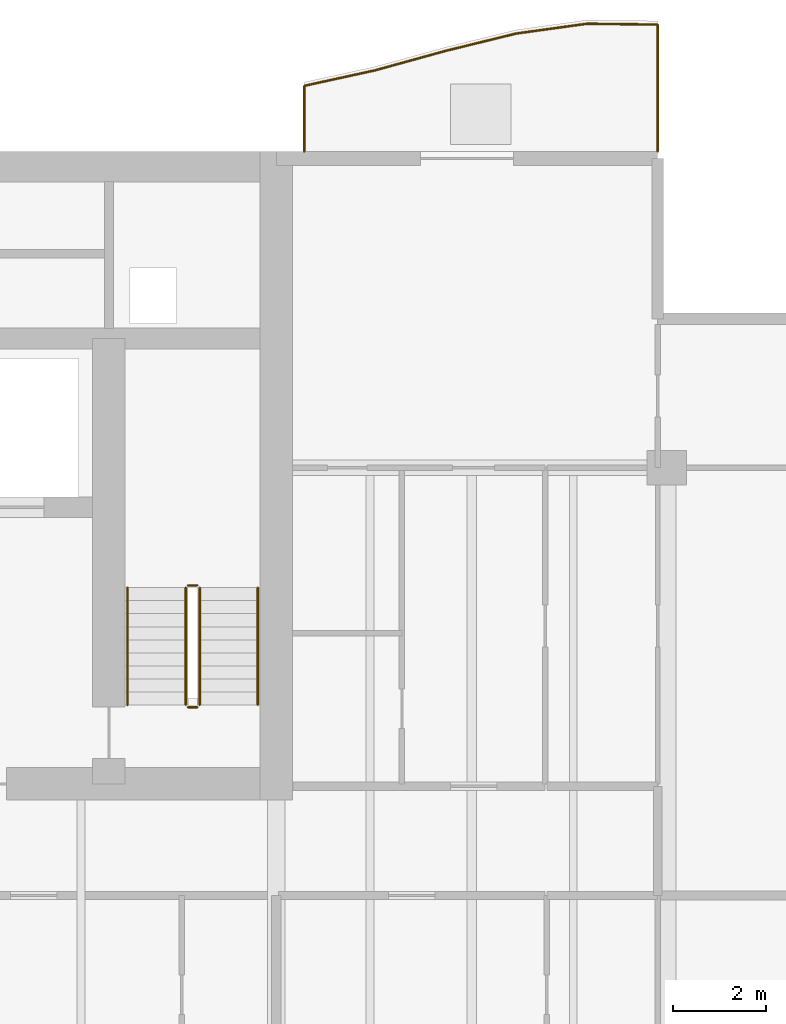
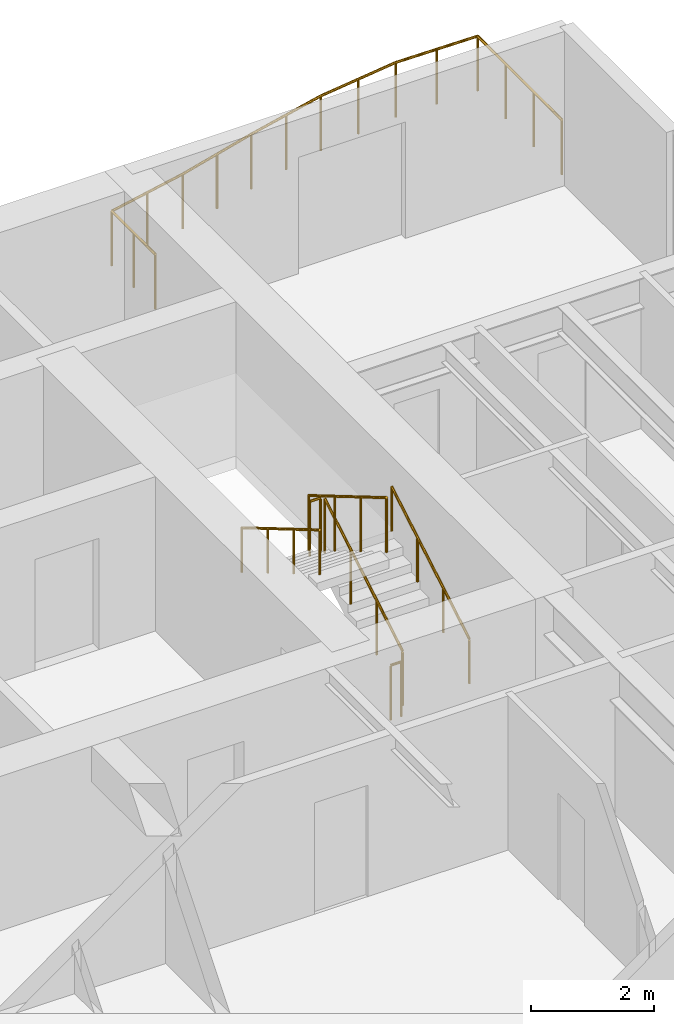
# One storey, part 17 of 18: 7 railings.
"""IFC4 building model written with IfcOpenShell, lengths in metres."""

from ifc_helpers import new_model, si_unit, direction, frame, origin, origin_2d, place, context, subcontext, project, spatial, circle, extrude, material, type_object, element, save


model = new_model("IFC4")

# Units and contexts
model_context = context("Model", 3, precision=1e-05, world=origin(), true_north=direction((0.0, 1.0)))
body_context = subcontext(model_context, "Body", "Model", "MODEL_VIEW")
ifc_project = project(units=[si_unit("LENGTHUNIT", "METRE"), si_unit("AREAUNIT", "SQUARE_METRE"), si_unit("VOLUMEUNIT", "CUBIC_METRE"), si_unit("PLANEANGLEUNIT", "RADIAN"), si_unit("MASSUNIT", "GRAM", prefix="KILO")], contexts=[model_context])

# Site, building, storey
site_placement = place(None, origin())
site = spatial("IfcSite", under=ifc_project, at=site_placement, CompositionType="ELEMENT")
building_placement = place(site_placement, origin())
building = spatial("IfcBuilding", under=site, at=building_placement, Name="Caelmar Bay Residences", CompositionType="ELEMENT")
storey_placement = place(building_placement, frame((0.0, 0.0, 177.0)))
storey = spatial("IfcBuildingStorey", under=building, at=storey_placement, Name="L49", CompositionType="ELEMENT", Elevation=177.0)

# Railings
ifc_material_1 = material(Name="Anodised bronze handrail with laminated hurricane glass infill", Category="glass")
railing_type_1 = type_object("IfcRailingType", Name="RL-BAL-1100", PredefinedType="BALUSTRADE", material=ifc_material_1)
railing_1_placement = place(storey_placement, frame((67.699951171875, 50.60009765625, 0.0)))
element("IfcRailing", 1, at=railing_1_placement, inside=storey, type_object=railing_type_1, Name="L49 north_east Balcony Balustrade", PredefinedType="BALUSTRADE", context=body_context, shape_type="SweptSolid", body=[
    extrude(circle(Radius=0.02392578125, at=origin_2d()), frame((0.0, 0.0, 1.076171875), z_axis=(0.0, 1.0, 0.0), x_axis=(-1.0, 0.0, 0.0)), (0.0, 0.0, 1.0), 2.7294921875),
    extrude(circle(Radius=0.02392578125, at=origin_2d()), frame((0.0, 2.7294921875, 1.076171875), z_axis=(-0.999921532492, 0.012527124885, 0.0), x_axis=(-0.012527124885, -0.999921532492, 0.0)), (0.0, 0.0, 1.0), 1.52001953125),
    extrude(circle(Radius=0.02392578125, at=origin_2d()), frame((-1.52001953125, 2.74853515625, 1.076171875), z_axis=(-0.990551196857, -0.137143451926, 0.0), x_axis=(0.137143451926, -0.990551196857, 0.0)), (0.0, 0.0, 1.0), 1.534423828125),
    extrude(circle(Radius=0.02392578125, at=origin_2d()), frame((-3.0400390625, 2.5380859375, 1.076171875), z_axis=(-0.971143394628, -0.238496346031, 0.0), x_axis=(0.238496346031, -0.971143394628, 0.0)), (0.0, 0.0, 1.0), 1.565185546875),
    extrude(circle(Radius=0.02392578125, at=origin_2d()), frame((-4.56005859375, 2.164794921875, 1.076171875), z_axis=(-0.964041885028, -0.265750341319, 0.0), x_axis=(0.265750341319, -0.964041885028, 0.0)), (0.0, 0.0, 1.0), 1.576416015625),
    extrude(circle(Radius=0.02392578125, at=origin_2d()), frame((-6.079833984375, 1.745849609375, 1.076171875), z_axis=(-0.976865202557, -0.2138559703, 0.0), x_axis=(0.2138559703, -0.976865202557, 0.0)), (0.0, 0.0, 1.0), 1.555908203125),
    extrude(circle(Radius=0.02392578125, at=origin_2d()), frame((-7.599853515625, 1.4130859375, 1.076171875), z_axis=(0.0, -1.0, 0.0), x_axis=(1.0, 0.0, 0.0)), (0.0, 0.0, 1.0), 1.4130859375),
    extrude(circle(Radius=0.02099609375, at=origin_2d()), origin(), (0.0, 0.0, 1.0), 1.052001953125),
    extrude(circle(Radius=0.02099609375, at=origin_2d()), frame((0.0, 0.909912109375, 0.0)), (0.0, 0.0, 1.0), 1.052001953125),
    extrude(circle(Radius=0.02099609375, at=origin_2d()), frame((0.0, 1.819580078125, 0.0)), (0.0, 0.0, 1.0), 1.052001953125),
    extrude(circle(Radius=0.02099609375, at=origin_2d()), frame((0.0, 2.7294921875, 0.0)), (0.0, 0.0, 1.0), 1.052001953125),
    extrude(circle(Radius=0.02099609375, at=origin_2d()), frame((-0.760009765625, 2.739013671875, 0.0)), (0.0, 0.0, 1.0), 1.052001953125),
    extrude(circle(Radius=0.02099609375, at=origin_2d()), frame((-1.52001953125, 2.74853515625, 0.0)), (0.0, 0.0, 1.0), 1.052001953125),
    extrude(circle(Radius=0.02099609375, at=origin_2d()), frame((-2.280029296875, 2.643310546875, 0.0)), (0.0, 0.0, 1.0), 1.052001953125),
    extrude(circle(Radius=0.02099609375, at=origin_2d()), frame((-3.0400390625, 2.5380859375, 0.0)), (0.0, 0.0, 1.0), 1.052001953125),
    extrude(circle(Radius=0.02099609375, at=origin_2d()), frame((-3.800048828125, 2.3515625, 0.0)), (0.0, 0.0, 1.0), 1.052001953125),
    extrude(circle(Radius=0.02099609375, at=origin_2d()), frame((-4.56005859375, 2.164794921875, 0.0)), (0.0, 0.0, 1.0), 1.052001953125),
    extrude(circle(Radius=0.02099609375, at=origin_2d()), frame((-5.31982421875, 1.955322265625, 0.0)), (0.0, 0.0, 1.0), 1.052001953125),
    extrude(circle(Radius=0.02099609375, at=origin_2d()), frame((-6.079833984375, 1.745849609375, 0.0)), (0.0, 0.0, 1.0), 1.052001953125),
    extrude(circle(Radius=0.02099609375, at=origin_2d()), frame((-6.83984375, 1.57958984375, 0.0)), (0.0, 0.0, 1.0), 1.052001953125),
    extrude(circle(Radius=0.02099609375, at=origin_2d()), frame((-7.599853515625, 1.4130859375, 0.0)), (0.0, 0.0, 1.0), 1.052001953125),
    extrude(circle(Radius=0.02099609375, at=origin_2d()), frame((-7.599853515625, 0.70654296875, 0.0)), (0.0, 0.0, 1.0), 1.052001953125),
    extrude(circle(Radius=0.02099609375, at=origin_2d()), frame((-7.599853515625, 0.0, 0.0)), (0.0, 0.0, 1.0), 1.052001953125),
])
ifc_material_2 = material(Name="Painted galvanized steel stair guard 1100 mm", Category="steel")
railing_type_2 = type_object("IfcRailingType", Name="RL-GRD-1100", PredefinedType="GUARDRAIL", material=ifc_material_2)
railing_2_placement = place(storey_placement, frame((57.85009765625, 38.699951171875, 0.1650390625)))
element("IfcRailing", 2, at=railing_2_placement, inside=storey, type_object=railing_type_2, Name="L49 ST2 stair guard 1", PredefinedType="GUARDRAIL", context=body_context, shape_type="SweptSolid", body=[
    extrude(circle(Radius=0.02392578125, at=origin_2d()), frame((0.0, 0.0, 1.076171875), z_axis=(0.0, 0.861560626758, 0.507654692109), x_axis=(-1.0, 0.0, 0.0)), (0.0, 0.0, 1.0), 2.925048828125),
    extrude(circle(Radius=0.02099609375, at=origin_2d()), origin(), (0.0, 0.0, 1.0), 1.052001953125),
    extrude(circle(Radius=0.02099609375, at=origin_2d()), frame((0.0, 0.840087890625, 0.494873046875)), (0.0, 0.0, 1.0), 1.052001953125),
    extrude(circle(Radius=0.02099609375, at=origin_2d()), frame((0.0, 1.679931640625, 0.989990234375)), (0.0, 0.0, 1.0), 1.052001953125),
    extrude(circle(Radius=0.02099609375, at=origin_2d()), frame((0.0, 2.52001953125, 1.48486328125)), (0.0, 0.0, 1.0), 1.052001953125),
])
railing_3_placement = place(storey_placement, frame((57.800048828125, 41.27001953125, 1.64990234375)))
element("IfcRailing", 3, at=railing_3_placement, inside=storey, type_object=railing_type_2, Name="L49 ST2 stair guard 2", PredefinedType="GUARDRAIL", context=body_context, shape_type="SweptSolid", body=[
    extrude(circle(Radius=0.02392578125, at=origin_2d()), frame((0.0, 0.0, 1.076171875), z_axis=(-1.0, 0.0, 0.0), x_axis=(0.0, -1.0, 0.0)), (0.0, 0.0, 1.0), 0.199951171875),
    extrude(circle(Radius=0.02099609375, at=origin_2d()), origin(), (0.0, 0.0, 1.0), 1.052001953125),
    extrude(circle(Radius=0.02099609375, at=origin_2d()), frame((-0.199951171875, 0.0, 0.0)), (0.0, 0.0, 1.0), 1.052001953125),
])
railing_4_placement = place(storey_placement, frame((57.550048828125, 41.219970703125, 1.81494140625)))
element("IfcRailing", 4, at=railing_4_placement, inside=storey, type_object=railing_type_2, Name="L49 ST2 stair guard 3", PredefinedType="GUARDRAIL", context=body_context, shape_type="SweptSolid", body=[
    extrude(circle(Radius=0.02392578125, at=origin_2d()), frame((0.0, 0.0, 1.076171875), z_axis=(0.0, -0.86152411907, 0.507716645641), x_axis=(1.0, 0.0, 0.0)), (0.0, 0.0, 1.0), 2.925048828125),
    extrude(circle(Radius=0.02099609375, at=origin_2d()), origin(), (0.0, 0.0, 1.0), 1.052001953125),
    extrude(circle(Radius=0.02099609375, at=origin_2d()), frame((0.0, -0.840087890625, 0.4951171875)), (0.0, 0.0, 1.0), 1.052001953125),
    extrude(circle(Radius=0.02099609375, at=origin_2d()), frame((0.0, -1.679931640625, 0.989990234375)), (0.0, 0.0, 1.0), 1.052001953125),
    extrude(circle(Radius=0.02099609375, at=origin_2d()), frame((0.0, -2.52001953125, 1.485107421875)), (0.0, 0.0, 1.0), 1.052001953125),
])
railing_5_placement = place(storey_placement, frame((57.800048828125, 38.64990234375, 0.0)))
element("IfcRailing", 5, at=railing_5_placement, inside=storey, type_object=railing_type_2, Name="L49 ST2 stair guard 4", PredefinedType="GUARDRAIL", context=body_context, shape_type="SweptSolid", body=[
    extrude(circle(Radius=0.02392578125, at=origin_2d()), frame((0.0, 0.0, 1.076171875), z_axis=(-1.0, 0.0, 0.0), x_axis=(0.0, -1.0, 0.0)), (0.0, 0.0, 1.0), 0.199951171875),
    extrude(circle(Radius=0.02099609375, at=origin_2d()), origin(), (0.0, 0.0, 1.0), 1.052001953125),
    extrude(circle(Radius=0.02099609375, at=origin_2d()), frame((-0.199951171875, 0.0, 0.0)), (0.0, 0.0, 1.0), 1.052001953125),
])
ifc_material_3 = material(Name="Brushed bronze stainless-steel tubular handrail 900 mm", Category="steel")
railing_type_3 = type_object("IfcRailingType", Name="RL-HND-900", PredefinedType="HANDRAIL", material=ifc_material_3)
railing_6_placement = place(storey_placement, frame((59.10009765625, 38.699951171875, 0.1650390625)))
element("IfcRailing", 6, at=railing_6_placement, inside=storey, type_object=railing_type_3, Name="L49 ST2 stair handrail 1", PredefinedType="HANDRAIL", context=body_context, shape_type="SweptSolid", body=[
    extrude(circle(Radius=0.02392578125, at=origin_2d()), frame((0.0, 0.0, 0.8759765625), z_axis=(0.0, 0.861560626758, 0.507654692109), x_axis=(-1.0, 0.0, 0.0)), (0.0, 0.0, 1.0), 2.925048828125),
    extrude(circle(Radius=0.02099609375, at=origin_2d()), origin(), (0.0, 0.0, 1.0), 0.851806640625),
    extrude(circle(Radius=0.02099609375, at=origin_2d()), frame((0.0, 0.840087890625, 0.494873046875)), (0.0, 0.0, 1.0), 0.851806640625),
    extrude(circle(Radius=0.02099609375, at=origin_2d()), frame((0.0, 1.679931640625, 0.989990234375)), (0.0, 0.0, 1.0), 0.851806640625),
    extrude(circle(Radius=0.02099609375, at=origin_2d()), frame((0.0, 2.52001953125, 1.48486328125)), (0.0, 0.0, 1.0), 0.851806640625),
])
railing_7_placement = place(storey_placement, frame((56.300048828125, 41.219970703125, 1.81494140625)))
element("IfcRailing", 7, at=railing_7_placement, inside=storey, type_object=railing_type_3, Name="L49 ST2 stair handrail 2", PredefinedType="HANDRAIL", context=body_context, shape_type="SweptSolid", body=[
    extrude(circle(Radius=0.02392578125, at=origin_2d()), frame((0.0, 0.0, 0.8759765625), z_axis=(0.0, -0.86152411907, 0.507716645641), x_axis=(1.0, 0.0, 0.0)), (0.0, 0.0, 1.0), 2.925048828125),
    extrude(circle(Radius=0.02099609375, at=origin_2d()), origin(), (0.0, 0.0, 1.0), 0.851806640625),
    extrude(circle(Radius=0.02099609375, at=origin_2d()), frame((0.0, -0.840087890625, 0.4951171875)), (0.0, 0.0, 1.0), 0.851806640625),
    extrude(circle(Radius=0.02099609375, at=origin_2d()), frame((0.0, -1.679931640625, 0.989990234375)), (0.0, 0.0, 1.0), 0.851806640625),
    extrude(circle(Radius=0.02099609375, at=origin_2d()), frame((0.0, -2.52001953125, 1.485107421875)), (0.0, 0.0, 1.0), 0.851806640625),
])

save(model, "model.ifc")
